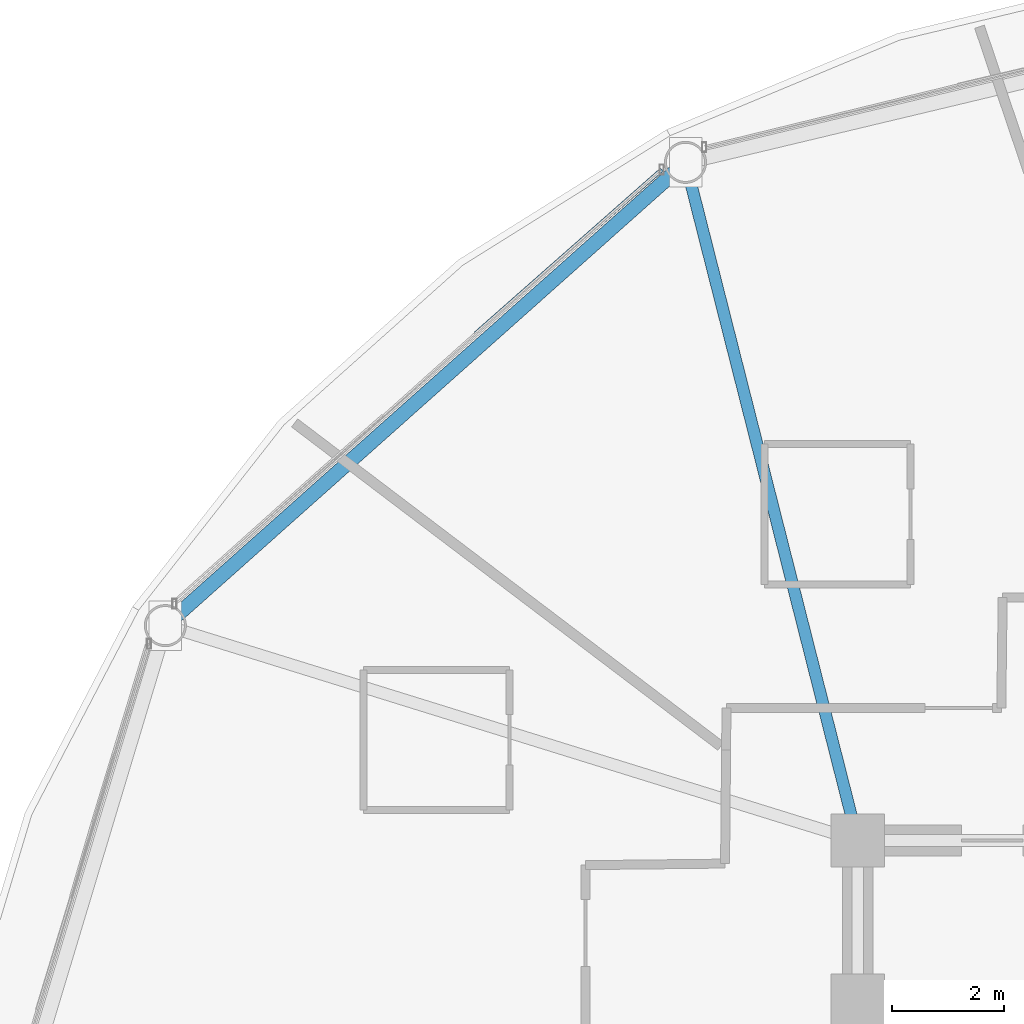
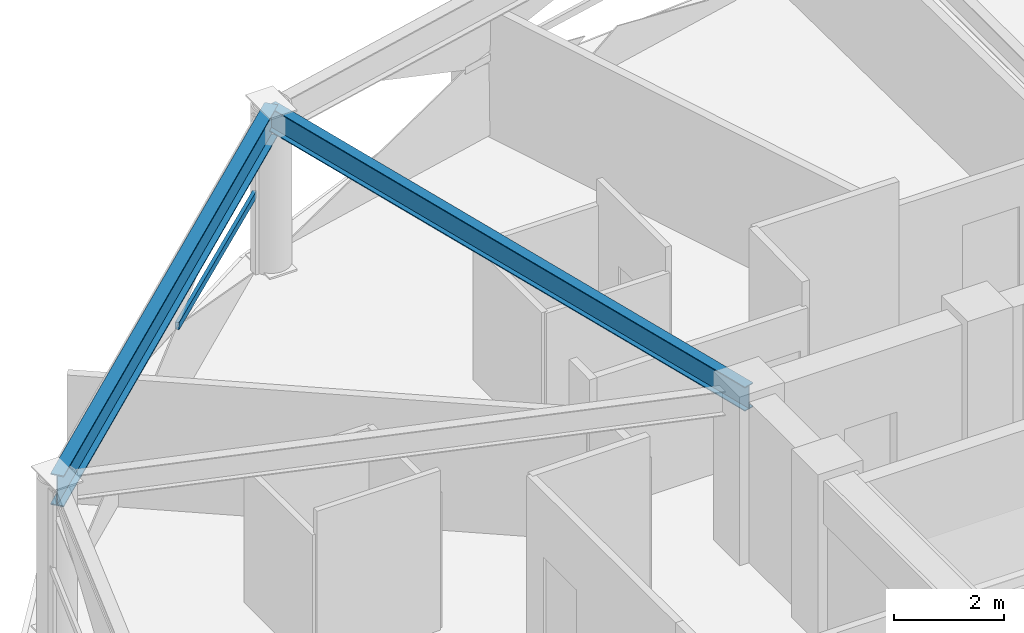
# One storey, part 15 of 31: 2 beams, 1 member, 1 element without a shape of its own.
"""IFC4 building model written with IfcOpenShell, lengths in metres."""

from ifc_helpers import new_model, si_unit, direction, frame, origin, origin_2d, place, context, subcontext, project, spatial, hollow_rectangle, i_section, extrude, material, layer, layer_set, material_profile, profile_set, type_object, element, aggregate, save


model = new_model("IFC4")

# Units and contexts
model_context = context("Model", 3, precision=1e-05, world=origin(), true_north=direction((0.0, 1.0)))
body_context = subcontext(model_context, "Body", "Model", "MODEL_VIEW")
ifc_project = project(units=[si_unit("LENGTHUNIT", "METRE"), si_unit("AREAUNIT", "SQUARE_METRE"), si_unit("VOLUMEUNIT", "CUBIC_METRE"), si_unit("PLANEANGLEUNIT", "RADIAN"), si_unit("MASSUNIT", "GRAM", prefix="KILO")], contexts=[model_context])

# Site, building, storey
site_placement = place(None, origin())
site = spatial("IfcSite", under=ifc_project, at=site_placement, CompositionType="ELEMENT")
building_placement = place(site_placement, origin())
building = spatial("IfcBuilding", under=site, at=building_placement, Name="Vantalir Tower", CompositionType="ELEMENT")
storey_placement = place(building_placement, frame((0.0, 0.0, 123.449951171875)))
storey = spatial("IfcBuildingStorey", under=building, at=storey_placement, Name="L30", CompositionType="ELEMENT", Elevation=123.449951171875)

# Beams
ifc_material_1 = material(Name="Steel S355", Category="steel")
ifc_material_profile_1 = material_profile(ifc_material_1, i_section(OverallWidth=0.2109375, OverallDepth=0.5390625, WebThickness=0.01171875, FlangeThickness=0.018798828125, at=origin_2d()), Name="Steel S355")
ifc_profile_set_1 = profile_set([ifc_material_profile_1], Name="Steel S355")
beam_type_1 = type_object("IfcBeamType", Name="BM-RB-533x210", PredefinedType="BEAM", material=ifc_profile_set_1)
beam_1_placement = place(storey_placement, frame((18.830078125, 44.54296875, 3.300048828125), z_axis=(0.246047052435, -0.969257885182, 0.0), x_axis=(0.969257885182, 0.246047052435, 0.0)))
element("IfcBeam", 1, at=beam_1_placement, inside=storey, type_object=beam_type_1, Name="L30 Radial Floor Beam 05", PredefinedType="BEAM", context=body_context, shape_type="SweptSolid", body=[
    extrude(i_section(OverallWidth=0.2109375, OverallDepth=0.5390625, WebThickness=0.01171875, FlangeThickness=0.018798828125, at=origin_2d()), origin(), (0.0, 0.0, 1.0), 12.4765625),
])
ifc_material_2 = material(Name="Steel S460", Category="steel")
ifc_material_profile_2 = material_profile(ifc_material_2, i_section(OverallWidth=0.256103515625, OverallDepth=0.693115234375, WebThickness=0.014404296875, FlangeThickness=0.023681640625, at=origin_2d()), Name="Steel S460")
ifc_profile_set_2 = profile_set([ifc_material_profile_2], Name="Steel S460")
beam_type_2 = type_object("IfcBeamType", Name="BM-RG-686x254", PredefinedType="USERDEFINED", material=ifc_profile_set_2)
beam_2_placement = place(storey_placement, frame((18.830078125, 44.54296875, 3.22314453125), z_axis=(-0.746791899704, -0.665057785862, 0.0), x_axis=(0.665057785862, -0.746791899704, 0.0)))
element("IfcBeam", 2, at=beam_2_placement, inside=storey, type_object=beam_type_2, Name="L30 Circumferential Ring Girder 05", ObjectType="GIRDER", PredefinedType="USERDEFINED", context=body_context, shape_type="SweptSolid", body=[
    extrude(i_section(OverallWidth=0.256103515625, OverallDepth=0.693115234375, WebThickness=0.014404296875, FlangeThickness=0.023681640625, at=origin_2d()), origin(), (0.0, 0.0, 1.0), 12.419921875),
])

# Curtain wall, member
ifc_material_3 = material(Name="Champagne-silver PVDF aluminium and double-silver Low-E glass", Category="aluminium")
ifc_layer = layer(ifc_material_3, 0.199951171875)
ifc_layer_set = layer_set([ifc_layer], Name="Champagne-silver PVDF aluminium and double-silver Low-E glass")
curtain_wall_type = type_object("IfcCurtainWallType", Name="CW-DIAMOND-Z2", PredefinedType="USERDEFINED", material=ifc_layer_set)
curtain_wall_placement = place(storey_placement, origin())
curtain_wall = element("IfcCurtainWall", 3, at=curtain_wall_placement, inside=storey, type_object=curtain_wall_type, Name="L30 Quilted Pyramid-Diamond Curtain Wall S05", ObjectType="UNITISED CURTAIN WALL", PredefinedType="USERDEFINED")
ifc_material_4 = material(Name="Champagne-silver PVDF aluminium 6063-T6", Category="aluminium")
ifc_material_profile_3 = material_profile(ifc_material_4, hollow_rectangle(XDim=0.074951171875, YDim=0.159912109375, WallThickness=0.00390625, at=origin_2d()), Name="Champagne-silver PVDF aluminium 6063-T6")
ifc_profile_set_3 = profile_set([ifc_material_profile_3], Name="Champagne-silver PVDF aluminium 6063-T6")
member_type = type_object("IfcMemberType", Name="CWT-160x75", PredefinedType="USERDEFINED", material=ifc_profile_set_3)
member_placement = place(storey_placement, frame((18.406982421875, 44.4140625, 1.78515625), z_axis=(-0.750237110552, -0.661168872491, 0.0), x_axis=(0.661168872491, -0.750237110552, 0.0)))
member = element("IfcMember", 4, at=member_placement, type_object=member_type, Name="CW-L30-S05 Pyramid Fold Ridge Transom", ObjectType="TRANSOM", PredefinedType="USERDEFINED", context=body_context, shape_type="SweptSolid", body=[
    extrude(hollow_rectangle(XDim=0.074951171875, YDim=0.159912109375, WallThickness=0.00390625, at=origin_2d()), origin(), (0.0, 0.0, 1.0), 4.424072265625),
])
aggregate(curtain_wall, [member])

save(model, "model.ifc")
